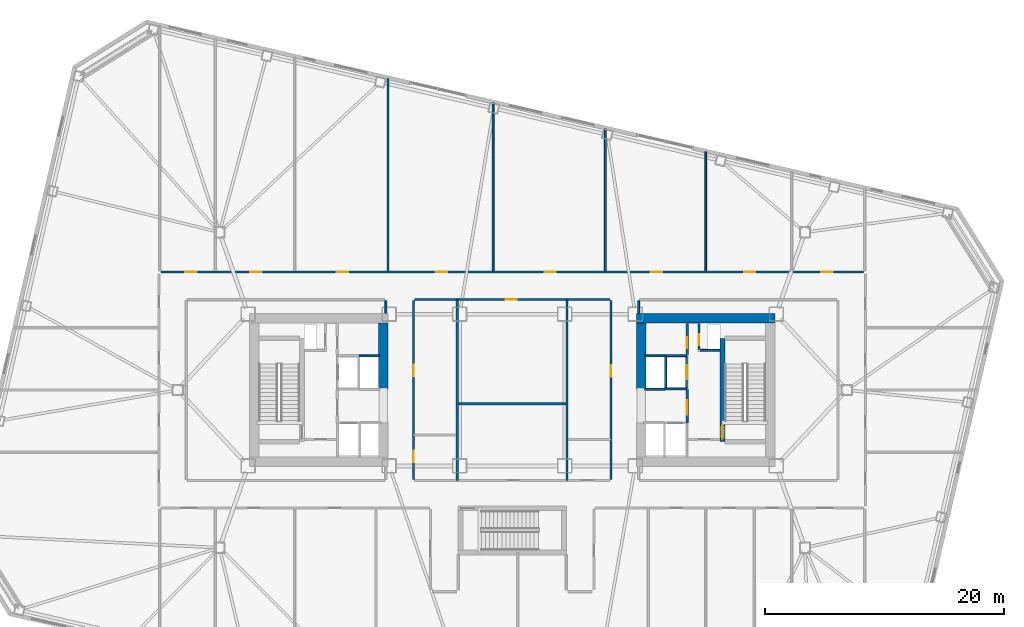
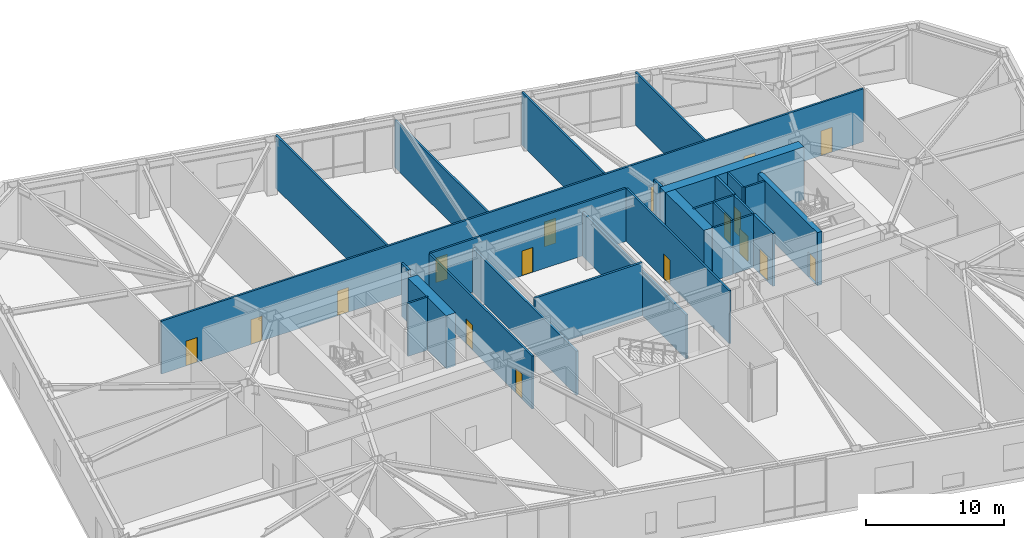
# One storey, part 12 of 20: 28 walls, 17 doors, 17 openings.
"""IFC4 building model written with IfcOpenShell, lengths in metres."""

from ifc_helpers import new_model, si_unit, direction, frame, frame_2d, origin, place, context, subcontext, project, spatial, rectangle, extrude, material, layer, layer_set, type_object, element, fill, save


model = new_model("IFC4")

# Units and contexts
model_context = context("Model", 3, precision=1e-05, world=origin(), true_north=direction((0.0, 1.0)))
body_context = subcontext(model_context, "Body", "Model", "MODEL_VIEW")
ifc_project = project(units=[si_unit("LENGTHUNIT", "METRE"), si_unit("AREAUNIT", "SQUARE_METRE"), si_unit("VOLUMEUNIT", "CUBIC_METRE"), si_unit("PLANEANGLEUNIT", "RADIAN"), si_unit("MASSUNIT", "GRAM", prefix="KILO")], contexts=[model_context])

# Site, building, storey
site_placement = place(None, origin())
site = spatial("IfcSite", under=ifc_project, at=site_placement, CompositionType="ELEMENT")
building_placement = place(site_placement, origin())
building = spatial("IfcBuilding", under=site, at=building_placement, Name="Tavrogorsk Clinical Tower", CompositionType="ELEMENT")
storey_placement = place(building_placement, frame((0.0, 0.0, 23.39990234375)))
storey = spatial("IfcBuildingStorey", under=building, at=storey_placement, Name="L04", CompositionType="ELEMENT", Elevation=23.39990234375)

# Wall, opening, door
ifc_material_1 = material(Name="Concrete B60", Category="concrete")
ifc_layer_1 = layer(ifc_material_1, 0.199951171875)
ifc_layer_set_1 = layer_set([ifc_layer_1], Name="Concrete B60")
wall_type_1 = type_object("IfcWallType", Name="CoreFireWall_200", PredefinedType="SOLIDWALL", material=ifc_layer_set_1)
wall_1_placement = place(storey_placement, frame((14.639892578125, 2.9599609375, 0.0), z_axis=(0.0, 0.0, 1.0), x_axis=(0.0, 1.0, 0.0)))
wall_1 = element("IfcWall", 1, at=wall_1_placement, inside=storey, type_object=wall_type_1, Name="L04 Core East North Core Room East Wall", PredefinedType="SOLIDWALL", context=body_context, shape_type="SweptSolid", body=[
    extrude(rectangle(XDim=2.60009765625, YDim=0.199951171875, at=frame_2d((1.300048828125, 0.0))), origin(), (0.0, 0.0, 1.0), 4.7001953125),
])
opening_1_placement = place(wall_1_placement, frame((0.52001953125, 0.0, 0.0)))
opening_1 = element("IfcOpeningElement", 2, at=opening_1_placement, cuts=wall_1, Name="Opening ID-02", PredefinedType="OPENING", context=body_context, shape_type="SweptSolid", body=[
    extrude(rectangle(XDim=0.949951171875, YDim=2.199951171875, at=frame_2d((0.47509765625, 1.10009765625))), frame((0.0, 0.10986328125, 0.0), z_axis=(0.0, -1.0, 0.0), x_axis=(1.0, 0.0, 0.0)), (0.0, 0.0, 1.0), 0.219970703125),
])
ifc_material_2 = material(Name="Laminated timber leaf on aluminium frame", Category="wood")
door_type_1 = type_object("IfcDoorType", Name="InteriorDoor_ID02_950", OperationType="NOTDEFINED", PredefinedType="DOOR", material=ifc_material_2)
door_1_placement = place(opening_1_placement, origin())
door_1 = element("IfcDoor", 3, at=door_1_placement, inside=storey, type_object=door_type_1, Name="L04 Core East Core Telemetry Room Door", OperationType="SINGLE_SWING_LEFT", OverallHeight=2.199951171875, OverallWidth=0.949951171875, PredefinedType="DOOR", context=body_context, shape_type="SweptSolid", body=[
    extrude(rectangle(XDim=0.949951171875, YDim=2.199951171875, at=frame_2d((0.47509765625, 1.10009765625))), frame((0.0, 0.02490234375, 0.0), z_axis=(0.0, -1.0, 0.0), x_axis=(1.0, 0.0, 0.0)), (0.0, 0.0, 1.0), 0.050048828125),
])
fill(opening_1, door_1)

wall_2_placement = place(storey_placement, frame((14.639892578125, -2.780029296875, 0.0), z_axis=(0.0, 0.0, 1.0), x_axis=(0.0, 1.0, 0.0)))
wall_2 = element("IfcWall", 4, at=wall_2_placement, inside=storey, type_object=wall_type_1, Name="L04 Core East Firefighting Lobby Fire Wall", PredefinedType="SOLIDWALL", context=body_context, shape_type="SweptSolid", body=[
    extrude(rectangle(XDim=2.820068359375, YDim=0.199951171875, at=frame_2d((1.41015625, 0.0))), origin(), (0.0, 0.0, 1.0), 4.7001953125),
])
opening_2_placement = place(wall_2_placement, frame((0.72998046875, 0.0, 0.0)))
opening_2 = element("IfcOpeningElement", 5, at=opening_2_placement, cuts=wall_2, Name="Opening FD-01", PredefinedType="OPENING", context=body_context, shape_type="SweptSolid", body=[
    extrude(rectangle(XDim=1.199951171875, YDim=2.199951171875, at=frame_2d((0.60009765625, 1.10009765625))), frame((0.0, 0.10986328125, 0.0), z_axis=(0.0, -1.0, 0.0), x_axis=(1.0, 0.0, 0.0)), (0.0, 0.0, 1.0), 0.219970703125),
])
ifc_material_3 = material(Name="Galvanised steel fire-rated door assembly", Category="steel")
door_type_2 = type_object("IfcDoorType", Name="FireDoor_FD01_1200", OperationType="NOTDEFINED", PredefinedType="DOOR", material=ifc_material_3)
door_2_placement = place(opening_2_placement, origin())
door_2 = element("IfcDoor", 6, at=door_2_placement, inside=storey, type_object=door_type_2, Name="L04 Core East Firefighting Lobby Entry Door", OperationType="SINGLE_SWING_RIGHT", OverallHeight=2.199951171875, OverallWidth=1.199951171875, PredefinedType="DOOR", context=body_context, shape_type="SweptSolid", body=[
    extrude(rectangle(XDim=1.199951171875, YDim=2.199951171875, at=frame_2d((0.60009765625, 1.10009765625))), frame((0.0, 0.02490234375, 0.0), z_axis=(0.0, -1.0, 0.0), x_axis=(1.0, 0.0, 0.0)), (0.0, 0.0, 1.0), 0.050048828125),
])
fill(opening_2, door_2)

# Wall, openings, doors
ifc_material_4 = material(Name="Lightweight concrete blockwork B15", Category="masonry")
ifc_layer_2 = layer(ifc_material_4, 0.159912109375)
ifc_layer_set_2 = layer_set([ifc_layer_2], Name="Lightweight concrete blockwork B15")
wall_type_2 = type_object("IfcWallType", Name="PartitionWall_160", PredefinedType="PARTITIONING", material=ifc_layer_set_2)
wall_3_placement = place(storey_placement, frame((-29.4150390625, 9.8798828125, 0.0), z_axis=(0.0, 0.0, 1.0), x_axis=(1.0, 0.0, 0.0)))
wall_3 = element("IfcWall", 7, at=wall_3_placement, inside=storey, type_object=wall_type_2, Name="L04 Corridor Partition 02", PredefinedType="PARTITIONING", context=body_context, shape_type="SweptSolid", body=[
    extrude(rectangle(XDim=58.830078125, YDim=0.159912109375, at=frame_2d((29.4150390625, 0.0))), origin(), (0.0, 0.0, 1.0), 4.7001953125),
])
opening_3_placement = place(wall_3_placement, frame((2.044189453125, 0.0, 0.0)))
opening_3 = element("IfcOpeningElement", 8, at=opening_3_placement, cuts=wall_3, Name="Opening ID-02", PredefinedType="OPENING", context=body_context, shape_type="SweptSolid", body=[
    extrude(rectangle(XDim=0.949951171875, YDim=2.199951171875, at=frame_2d((0.47509765625, 1.10009765625))), frame((0.0, 0.08984375, 0.0), z_axis=(0.0, -1.0, 0.0), x_axis=(1.0, 0.0, 0.0)), (0.0, 0.0, 1.0), 0.179931640625),
])
opening_4_placement = place(wall_3_placement, frame((7.5, 0.0, 0.0)))
opening_4 = element("IfcOpeningElement", 9, at=opening_4_placement, cuts=wall_3, Name="Opening ID-02", PredefinedType="OPENING", context=body_context, shape_type="SweptSolid", body=[
    extrude(rectangle(XDim=0.949951171875, YDim=2.199951171875, at=frame_2d((0.47509765625, 1.10009765625))), frame((0.0, 0.08984375, 0.0), z_axis=(0.0, -1.0, 0.0), x_axis=(1.0, 0.0, 0.0)), (0.0, 0.0, 1.0), 0.179931640625),
])
opening_5_placement = place(wall_3_placement, frame((14.72509765625, 0.0, 0.0)))
opening_5 = element("IfcOpeningElement", 10, at=opening_5_placement, cuts=wall_3, Name="Opening ID-02", PredefinedType="OPENING", context=body_context, shape_type="SweptSolid", body=[
    extrude(rectangle(XDim=0.949951171875, YDim=2.199951171875, at=frame_2d((0.47509765625, 1.10009765625))), frame((0.0, 0.08984375, 0.0), z_axis=(0.0, -1.0, 0.0), x_axis=(1.0, 0.0, 0.0)), (0.0, 0.0, 1.0), 0.179931640625),
])
opening_6_placement = place(wall_3_placement, frame((23.02490234375, 0.0, 0.0)))
opening_6 = element("IfcOpeningElement", 11, at=opening_6_placement, cuts=wall_3, Name="Opening ID-02", PredefinedType="OPENING", context=body_context, shape_type="SweptSolid", body=[
    extrude(rectangle(XDim=0.949951171875, YDim=2.199951171875, at=frame_2d((0.47509765625, 1.10009765625))), frame((0.0, 0.08984375, 0.0), z_axis=(0.0, -1.0, 0.0), x_axis=(1.0, 0.0, 0.0)), (0.0, 0.0, 1.0), 0.179931640625),
])
opening_7_placement = place(wall_3_placement, frame((32.125, 0.0, 0.0)))
opening_7 = element("IfcOpeningElement", 12, at=opening_7_placement, cuts=wall_3, Name="Opening ID-02", PredefinedType="OPENING", context=body_context, shape_type="SweptSolid", body=[
    extrude(rectangle(XDim=0.949951171875, YDim=2.199951171875, at=frame_2d((0.47509765625, 1.10009765625))), frame((0.0, 0.08984375, 0.0), z_axis=(0.0, -1.0, 0.0), x_axis=(1.0, 0.0, 0.0)), (0.0, 0.0, 1.0), 0.179931640625),
])
opening_8_placement = place(wall_3_placement, frame((41.02490234375, 0.0, 0.0)))
opening_8 = element("IfcOpeningElement", 13, at=opening_8_placement, cuts=wall_3, Name="Opening ID-02", PredefinedType="OPENING", context=body_context, shape_type="SweptSolid", body=[
    extrude(rectangle(XDim=0.949951171875, YDim=2.199951171875, at=frame_2d((0.47509765625, 1.10009765625))), frame((0.0, 0.08984375, 0.0), z_axis=(0.0, -1.0, 0.0), x_axis=(1.0, 0.0, 0.0)), (0.0, 0.0, 1.0), 0.179931640625),
])
opening_9_placement = place(wall_3_placement, frame((48.824951171875, 0.0, 0.0)))
opening_9 = element("IfcOpeningElement", 14, at=opening_9_placement, cuts=wall_3, Name="Opening ID-02", PredefinedType="OPENING", context=body_context, shape_type="SweptSolid", body=[
    extrude(rectangle(XDim=0.949951171875, YDim=2.199951171875, at=frame_2d((0.47509765625, 1.10009765625))), frame((0.0, 0.08984375, 0.0), z_axis=(0.0, -1.0, 0.0), x_axis=(1.0, 0.0, 0.0)), (0.0, 0.0, 1.0), 0.179931640625),
])
opening_10_placement = place(wall_3_placement, frame((55.281005859375, 0.0, 0.0)))
opening_10 = element("IfcOpeningElement", 15, at=opening_10_placement, cuts=wall_3, Name="Opening ID-02", PredefinedType="OPENING", context=body_context, shape_type="SweptSolid", body=[
    extrude(rectangle(XDim=0.949951171875, YDim=2.199951171875, at=frame_2d((0.47509765625, 1.10009765625))), frame((0.0, 0.08984375, 0.0), z_axis=(0.0, -1.0, 0.0), x_axis=(1.0, 0.0, 0.0)), (0.0, 0.0, 1.0), 0.179931640625),
])
door_3_placement = place(opening_3_placement, origin())
door_3 = element("IfcDoor", 16, at=door_3_placement, inside=storey, type_object=door_type_1, Name="L04 North Hybrid Endovascular Operating Theatre 01 Door", OperationType="SINGLE_SWING_LEFT", OverallHeight=2.199951171875, OverallWidth=0.949951171875, PredefinedType="DOOR", context=body_context, shape_type="SweptSolid", body=[
    extrude(rectangle(XDim=0.949951171875, YDim=2.199951171875, at=frame_2d((0.47509765625, 1.10009765625))), frame((0.0, 0.02490234375, 0.0), z_axis=(0.0, -1.0, 0.0), x_axis=(1.0, 0.0, 0.0)), (0.0, 0.0, 1.0), 0.050048828125),
])
fill(opening_3, door_3)
door_4_placement = place(opening_4_placement, origin())
door_4 = element("IfcDoor", 17, at=door_4_placement, inside=storey, type_object=door_type_1, Name="L04 North Anaesthesia Induction Room 02 Door", OperationType="SINGLE_SWING_RIGHT", OverallHeight=2.199951171875, OverallWidth=0.949951171875, PredefinedType="DOOR", context=body_context, shape_type="SweptSolid", body=[
    extrude(rectangle(XDim=0.949951171875, YDim=2.199951171875, at=frame_2d((0.47509765625, 1.10009765625))), frame((0.0, 0.02490234375, 0.0), z_axis=(0.0, -1.0, 0.0), x_axis=(1.0, 0.0, 0.0)), (0.0, 0.0, 1.0), 0.050048828125),
])
fill(opening_4, door_4)
door_5_placement = place(opening_5_placement, origin())
door_5 = element("IfcDoor", 18, at=door_5_placement, inside=storey, type_object=door_type_1, Name="L04 North Hybrid Endovascular Operating Theatre 03 Door", OperationType="SINGLE_SWING_LEFT", OverallHeight=2.199951171875, OverallWidth=0.949951171875, PredefinedType="DOOR", context=body_context, shape_type="SweptSolid", body=[
    extrude(rectangle(XDim=0.949951171875, YDim=2.199951171875, at=frame_2d((0.47509765625, 1.10009765625))), frame((0.0, 0.02490234375, 0.0), z_axis=(0.0, -1.0, 0.0), x_axis=(1.0, 0.0, 0.0)), (0.0, 0.0, 1.0), 0.050048828125),
])
fill(opening_5, door_5)
door_6_placement = place(opening_6_placement, origin())
door_6 = element("IfcDoor", 19, at=door_6_placement, inside=storey, type_object=door_type_1, Name="L04 North Anaesthesia Induction Room 04 Door", OperationType="SINGLE_SWING_RIGHT", OverallHeight=2.199951171875, OverallWidth=0.949951171875, PredefinedType="DOOR", context=body_context, shape_type="SweptSolid", body=[
    extrude(rectangle(XDim=0.949951171875, YDim=2.199951171875, at=frame_2d((0.47509765625, 1.10009765625))), frame((0.0, 0.02490234375, 0.0), z_axis=(0.0, -1.0, 0.0), x_axis=(1.0, 0.0, 0.0)), (0.0, 0.0, 1.0), 0.050048828125),
])
fill(opening_6, door_6)
door_7_placement = place(opening_7_placement, origin())
door_7 = element("IfcDoor", 20, at=door_7_placement, inside=storey, type_object=door_type_1, Name="L04 North Hybrid Endovascular Operating Theatre 05 Door", OperationType="SINGLE_SWING_LEFT", OverallHeight=2.199951171875, OverallWidth=0.949951171875, PredefinedType="DOOR", context=body_context, shape_type="SweptSolid", body=[
    extrude(rectangle(XDim=0.949951171875, YDim=2.199951171875, at=frame_2d((0.47509765625, 1.10009765625))), frame((0.0, 0.02490234375, 0.0), z_axis=(0.0, -1.0, 0.0), x_axis=(1.0, 0.0, 0.0)), (0.0, 0.0, 1.0), 0.050048828125),
])
fill(opening_7, door_7)
door_8_placement = place(opening_8_placement, origin())
door_8 = element("IfcDoor", 21, at=door_8_placement, inside=storey, type_object=door_type_1, Name="L04 North Anaesthesia Induction Room 06 Door", OperationType="SINGLE_SWING_RIGHT", OverallHeight=2.199951171875, OverallWidth=0.949951171875, PredefinedType="DOOR", context=body_context, shape_type="SweptSolid", body=[
    extrude(rectangle(XDim=0.949951171875, YDim=2.199951171875, at=frame_2d((0.47509765625, 1.10009765625))), frame((0.0, 0.02490234375, 0.0), z_axis=(0.0, -1.0, 0.0), x_axis=(1.0, 0.0, 0.0)), (0.0, 0.0, 1.0), 0.050048828125),
])
fill(opening_8, door_8)
door_9_placement = place(opening_9_placement, origin())
door_9 = element("IfcDoor", 22, at=door_9_placement, inside=storey, type_object=door_type_1, Name="L04 North Hybrid Endovascular Operating Theatre 07 Door", OperationType="SINGLE_SWING_LEFT", OverallHeight=2.199951171875, OverallWidth=0.949951171875, PredefinedType="DOOR", context=body_context, shape_type="SweptSolid", body=[
    extrude(rectangle(XDim=0.949951171875, YDim=2.199951171875, at=frame_2d((0.47509765625, 1.10009765625))), frame((0.0, 0.02490234375, 0.0), z_axis=(0.0, -1.0, 0.0), x_axis=(1.0, 0.0, 0.0)), (0.0, 0.0, 1.0), 0.050048828125),
])
fill(opening_9, door_9)
door_10_placement = place(opening_10_placement, origin())
door_10 = element("IfcDoor", 23, at=door_10_placement, inside=storey, type_object=door_type_1, Name="L04 North Anaesthesia Induction Room 08 Door", OperationType="SINGLE_SWING_RIGHT", OverallHeight=2.199951171875, OverallWidth=0.949951171875, PredefinedType="DOOR", context=body_context, shape_type="SweptSolid", body=[
    extrude(rectangle(XDim=0.949951171875, YDim=2.199951171875, at=frame_2d((0.47509765625, 1.10009765625))), frame((0.0, 0.02490234375, 0.0), z_axis=(0.0, -1.0, 0.0), x_axis=(1.0, 0.0, 0.0)), (0.0, 0.0, 1.0), 0.050048828125),
])
fill(opening_10, door_10)

# Wall
wall_4_placement = place(storey_placement, frame((10.580078125, 7.485107421875, 0.0), z_axis=(0.0, 0.0, 1.0), x_axis=(0.0, -1.0, 0.0)))
element("IfcWall", 24, at=wall_4_placement, inside=storey, type_object=wall_type_2, Name="L04 Corridor Partition 13", PredefinedType="PARTITIONING", context=body_context, shape_type="SweptSolid", body=[
    extrude(rectangle(XDim=1.065185546875, YDim=0.159912109375, at=frame_2d((0.53271484375, 0.0))), origin(), (0.0, 0.0, 1.0), 4.7001953125),
])

# Wall, opening, door
wall_5_placement = place(storey_placement, frame((8.18505859375, 7.570068359375, 0.0), z_axis=(0.0, 0.0, 1.0), x_axis=(-1.0, 0.0, 0.0)))
wall_5 = element("IfcWall", 25, at=wall_5_placement, inside=storey, type_object=wall_type_2, Name="L04 Corridor Partition 17", PredefinedType="PARTITIONING", context=body_context, shape_type="SweptSolid", body=[
    extrude(rectangle(XDim=16.3701171875, YDim=0.159912109375, at=frame_2d((8.18505859375, 0.0))), origin(), (0.0, 0.0, 1.0), 4.7001953125),
])
opening_11_placement = place(wall_5_placement, frame((7.794921875, 0.0, 0.0)))
opening_11 = element("IfcOpeningElement", 26, at=opening_11_placement, cuts=wall_5, Name="Opening ID-02", PredefinedType="OPENING", context=body_context, shape_type="SweptSolid", body=[
    extrude(rectangle(XDim=0.949951171875, YDim=2.199951171875, at=frame_2d((0.47509765625, 1.10009765625))), frame((0.0, 0.08984375, 0.0), z_axis=(0.0, -1.0, 0.0), x_axis=(1.0, 0.0, 0.0)), (0.0, 0.0, 1.0), 0.179931640625),
])
door_11_placement = place(opening_11_placement, origin())
door_11 = element("IfcDoor", 27, at=door_11_placement, inside=storey, type_object=door_type_1, Name="L04 Nurses' Station & Triage Hub Door", OperationType="SINGLE_SWING_LEFT", OverallHeight=2.199951171875, OverallWidth=0.949951171875, PredefinedType="DOOR", context=body_context, shape_type="SweptSolid", body=[
    extrude(rectangle(XDim=0.949951171875, YDim=2.199951171875, at=frame_2d((0.47509765625, 1.10009765625))), frame((0.0, 0.02490234375, 0.0), z_axis=(0.0, -1.0, 0.0), x_axis=(1.0, 0.0, 0.0)), (0.0, 0.0, 1.0), 0.050048828125),
])
fill(opening_11, door_11)

# Wall, openings, doors
wall_6_placement = place(storey_placement, frame((-8.27001953125, 7.485107421875, 0.0), z_axis=(0.0, 0.0, 1.0), x_axis=(0.0, -1.0, 0.0)))
wall_6 = element("IfcWall", 28, at=wall_6_placement, inside=storey, type_object=wall_type_2, Name="L04 Corridor Partition 18", PredefinedType="PARTITIONING", context=body_context, shape_type="SweptSolid", body=[
    extrude(rectangle(XDim=14.97021484375, YDim=0.159912109375, at=frame_2d((7.485107421875, 0.0))), origin(), (0.0, 0.0, 1.0), 4.7001953125),
])
opening_12_placement = place(wall_6_placement, frame((12.560791015625, 0.0, 0.0)))
opening_12 = element("IfcOpeningElement", 29, at=opening_12_placement, cuts=wall_6, Name="Opening ID-02", PredefinedType="OPENING", context=body_context, shape_type="SweptSolid", body=[
    extrude(rectangle(XDim=0.949951171875, YDim=2.199951171875, at=frame_2d((0.47509765625, 1.10009765625))), frame((0.0, 0.08984375, 0.0), z_axis=(0.0, -1.0, 0.0), x_axis=(1.0, 0.0, 0.0)), (0.0, 0.0, 1.0), 0.179931640625),
])
opening_13_placement = place(wall_6_placement, frame((5.379150390625, 0.0, 0.0)))
opening_13 = element("IfcOpeningElement", 30, at=opening_13_placement, cuts=wall_6, Name="Opening ID-02", PredefinedType="OPENING", context=body_context, shape_type="SweptSolid", body=[
    extrude(rectangle(XDim=0.949951171875, YDim=2.199951171875, at=frame_2d((0.47509765625, 1.10009765625))), frame((0.0, 0.08984375, 0.0), z_axis=(0.0, -1.0, 0.0), x_axis=(1.0, 0.0, 0.0)), (0.0, 0.0, 1.0), 0.179931640625),
])
door_12_placement = place(opening_12_placement, origin())
door_12 = element("IfcDoor", 31, at=door_12_placement, inside=storey, type_object=door_type_1, Name="L04 Accessible Patient Lavatory Door", OperationType="SINGLE_SWING_RIGHT", OverallHeight=2.199951171875, OverallWidth=0.949951171875, PredefinedType="DOOR", context=body_context, shape_type="SweptSolid", body=[
    extrude(rectangle(XDim=0.949951171875, YDim=2.199951171875, at=frame_2d((0.47509765625, 1.10009765625))), frame((0.0, 0.02490234375, 0.0), z_axis=(0.0, -1.0, 0.0), x_axis=(1.0, 0.0, 0.0)), (0.0, 0.0, 1.0), 0.050048828125),
])
fill(opening_12, door_12)
door_13_placement = place(opening_13_placement, origin())
door_13 = element("IfcDoor", 32, at=door_13_placement, inside=storey, type_object=door_type_1, Name="L04 Ward Nourishment Pantry Door", OperationType="SINGLE_SWING_LEFT", OverallHeight=2.199951171875, OverallWidth=0.949951171875, PredefinedType="DOOR", context=body_context, shape_type="SweptSolid", body=[
    extrude(rectangle(XDim=0.949951171875, YDim=2.199951171875, at=frame_2d((0.47509765625, 1.10009765625))), frame((0.0, 0.02490234375, 0.0), z_axis=(0.0, -1.0, 0.0), x_axis=(1.0, 0.0, 0.0)), (0.0, 0.0, 1.0), 0.050048828125),
])
fill(opening_13, door_13)

# Wall, opening, door
wall_7_placement = place(storey_placement, frame((8.27001953125, -7.485107421875, 0.0), z_axis=(0.0, 0.0, 1.0), x_axis=(0.0, 1.0, 0.0)))
wall_7 = element("IfcWall", 33, at=wall_7_placement, inside=storey, type_object=wall_type_2, Name="L04 Corridor Partition 20", PredefinedType="PARTITIONING", context=body_context, shape_type="SweptSolid", body=[
    extrude(rectangle(XDim=14.97021484375, YDim=0.159912109375, at=frame_2d((7.485107421875, 0.0))), origin(), (0.0, 0.0, 1.0), 4.7001953125),
])
opening_14_placement = place(wall_7_placement, frame((8.61083984375, 0.0, 0.0)))
opening_14 = element("IfcOpeningElement", 34, at=opening_14_placement, cuts=wall_7, Name="Opening ID-02", PredefinedType="OPENING", context=body_context, shape_type="SweptSolid", body=[
    extrude(rectangle(XDim=0.949951171875, YDim=2.199951171875, at=frame_2d((0.47509765625, 1.10009765625))), frame((0.0, 0.08984375, 0.0), z_axis=(0.0, -1.0, 0.0), x_axis=(1.0, 0.0, 0.0)), (0.0, 0.0, 1.0), 0.179931640625),
])
door_14_placement = place(opening_14_placement, origin())
door_14 = element("IfcDoor", 35, at=door_14_placement, inside=storey, type_object=door_type_1, Name="L04 Attending Physician Office Door", OperationType="SINGLE_SWING_LEFT", OverallHeight=2.199951171875, OverallWidth=0.949951171875, PredefinedType="DOOR", context=body_context, shape_type="SweptSolid", body=[
    extrude(rectangle(XDim=0.949951171875, YDim=2.199951171875, at=frame_2d((0.47509765625, 1.10009765625))), frame((0.0, 0.02490234375, 0.0), z_axis=(0.0, -1.0, 0.0), x_axis=(1.0, 0.0, 0.0)), (0.0, 0.0, 1.0), 0.050048828125),
])
fill(opening_14, door_14)

# Walls
wall_8_placement = place(storey_placement, frame((-10.580078125, 6.419921875, 0.0), z_axis=(0.0, 0.0, 1.0), x_axis=(0.0, 1.0, 0.0)))
element("IfcWall", 36, at=wall_8_placement, inside=storey, type_object=wall_type_2, Name="L04 Corridor Partition 22", PredefinedType="PARTITIONING", context=body_context, shape_type="SweptSolid", body=[
    extrude(rectangle(XDim=1.065185546875, YDim=0.159912109375, at=frame_2d((0.53271484375, 0.0))), origin(), (0.0, 0.0, 1.0), 4.7001953125),
])
wall_9_placement = place(storey_placement, frame((-10.39990234375, 9.965087890625, 0.0), z_axis=(0.0, 0.0, 1.0), x_axis=(0.0, 1.0, 0.0)))
element("IfcWall", 37, at=wall_9_placement, inside=storey, type_object=wall_type_2, Name="L04 North Room Partition 3", PredefinedType="PARTITIONING", context=body_context, shape_type="SweptSolid", body=[
    extrude(rectangle(XDim=16.10888671875, YDim=0.159912109375, at=frame_2d((8.054443359375, 0.0))), origin(), (0.0, 0.0, 1.0), 4.7001953125),
])
wall_10_placement = place(storey_placement, frame((-1.60009765625, 9.965087890625, 0.0), z_axis=(0.0, 0.0, 1.0), x_axis=(0.0, 1.0, 0.0)))
element("IfcWall", 38, at=wall_10_placement, inside=storey, type_object=wall_type_2, Name="L04 North Room Partition 4", PredefinedType="PARTITIONING", context=body_context, shape_type="SweptSolid", body=[
    extrude(rectangle(XDim=14.077392578125, YDim=0.159912109375, at=frame_2d((7.03857421875, 0.0))), origin(), (0.0, 0.0, 1.0), 4.195068359375),
])
wall_11_placement = place(storey_placement, frame((7.800048828125, 9.965087890625, 0.0), z_axis=(0.0, 0.0, 1.0), x_axis=(0.0, 1.0, 0.0)))
element("IfcWall", 39, at=wall_11_placement, inside=storey, type_object=wall_type_2, Name="L04 North Room Partition 5", PredefinedType="PARTITIONING", context=body_context, shape_type="SweptSolid", body=[
    extrude(rectangle(XDim=11.9072265625, YDim=0.159912109375, at=frame_2d((5.95361328125, 0.0))), origin(), (0.0, 0.0, 1.0), 4.7001953125),
])
wall_12_placement = place(storey_placement, frame((16.199951171875, 9.965087890625, 0.0), z_axis=(0.0, 0.0, 1.0), x_axis=(0.0, 1.0, 0.0)))
element("IfcWall", 40, at=wall_12_placement, inside=storey, type_object=wall_type_2, Name="L04 North Room Partition 6", PredefinedType="PARTITIONING", context=body_context, shape_type="SweptSolid", body=[
    extrude(rectangle(XDim=9.9677734375, YDim=0.159912109375, at=frame_2d((4.98388671875, 0.0))), origin(), (0.0, 0.0, 1.0), 4.7001953125),
])
ifc_material_5 = material(Name="Lightweight concrete blockwork B20", Category="masonry")
ifc_layer_3 = layer(ifc_material_5, 0.179931640625)
ifc_layer_set_3 = layer_set([ifc_layer_3], Name="Lightweight concrete blockwork B20")
wall_type_3 = type_object("IfcWallType", Name="PartitionWall_180", PredefinedType="PARTITIONING", material=ifc_layer_set_3)
for number, where, z_axis, x_axis, name in (
    (41, (-4.60009765625, -7.56494140625, 0.0), (0.0, 0.0, 1.0), (0.0, 1.0, 0.0), "L04 Central Spine Partition 1"),
    (42, (4.60009765625, -7.56494140625, 0.0), (0.0, 0.0, 1.0), (0.0, 1.0, 0.0), "L04 Central Spine Partition 2"),
):
    element("IfcWall", number, at=place(storey_placement, frame(where, z_axis=z_axis, x_axis=x_axis)), inside=storey, type_object=wall_type_3, Name=name, PredefinedType="PARTITIONING", context=body_context, shape_type="SweptSolid", body=[
        extrude(rectangle(XDim=15.1298828125, YDim=0.179931640625, at=frame_2d((7.56494140625, 0.0))), origin(), (0.0, 0.0, 1.0), 3.89501953125),
    ])
wall_13_placement = place(storey_placement, frame((-4.5048828125, -1.14990234375, 0.0), z_axis=(0.0, 0.0, 1.0), x_axis=(1.0, 0.0, 0.0)))
element("IfcWall", 43, at=wall_13_placement, inside=storey, type_object=wall_type_3, Name="L04 Central Spine Partition 3", PredefinedType="PARTITIONING", context=body_context, shape_type="SweptSolid", body=[
    extrude(rectangle(XDim=9.009765625, YDim=0.179931640625, at=frame_2d((4.5048828125, 0.0))), origin(), (0.0, 0.0, 1.0), 4.7001953125),
])
ifc_material_6 = material(Name="Lightweight concrete blockwork B25", Category="masonry")
ifc_layer_4 = layer(ifc_material_6, 0.159912109375)
ifc_layer_set_4 = layer_set([ifc_layer_4], Name="Lightweight concrete blockwork B25")
wall_type_4 = type_object("IfcWallType", Name="ShaftWall_160", PredefinedType="PARTITIONING", material=ifc_layer_set_4)
wall_14_placement = place(storey_placement, frame((-12.820068359375, 2.860107421875, 0.0), z_axis=(0.0, 0.0, 1.0), x_axis=(1.0, 0.0, 0.0)))
element("IfcWall", 44, at=wall_14_placement, inside=storey, type_object=wall_type_4, Name="L04 LP-H1 High-Zone Lift Rear Wall", PredefinedType="PARTITIONING", context=body_context, shape_type="SweptSolid", body=[
    extrude(rectangle(XDim=1.719970703125, YDim=0.159912109375, at=frame_2d((0.85986328125, 0.0))), origin(), (0.0, 0.0, 1.0), 4.7001953125),
])

# Wall, opening, door
wall_15_placement = place(storey_placement, frame((14.60009765625, 0.1201171875, 0.0), z_axis=(0.0, 0.0, 1.0), x_axis=(0.0, 1.0, 0.0)))
wall_15 = element("IfcWall", 45, at=wall_15_placement, inside=storey, type_object=wall_type_4, Name="L04 FFL-E Firefighting Lift Front Wall", PredefinedType="PARTITIONING", context=body_context, shape_type="SweptSolid", body=[
    extrude(rectangle(XDim=2.739990234375, YDim=0.159912109375, at=frame_2d((1.3701171875, 0.0))), origin(), (0.0, 0.0, 1.0), 4.7001953125),
])
opening_15_placement = place(wall_15_placement, frame((0.77001953125, 0.0, 0.0)))
opening_15 = element("IfcOpeningElement", 46, at=opening_15_placement, cuts=wall_15, Name="Opening LD", PredefinedType="OPENING", context=body_context, shape_type="SweptSolid", body=[
    extrude(rectangle(XDim=1.199951171875, YDim=2.199951171875, at=frame_2d((0.60009765625, 1.10009765625))), frame((0.0, 0.08984375, 0.0), z_axis=(0.0, -1.0, 0.0), x_axis=(1.0, 0.0, 0.0)), (0.0, 0.0, 1.0), 0.179931640625),
])
ifc_material_7 = material(Name="Brushed stainless steel AISI 304 sliding doors", Category="steel")
door_type_3 = type_object("IfcDoorType", Name="LiftLandingDoor_LD_1200", OperationType="SLIDING_TO_LEFT", PredefinedType="DOOR", material=ifc_material_7)
door_15_placement = place(opening_15_placement, origin())
door_15 = element("IfcDoor", 47, at=door_15_placement, inside=storey, type_object=door_type_3, Name="L04 FFL-E Sliding Lift Landing Door", OperationType="SLIDING_TO_LEFT", OverallHeight=2.199951171875, OverallWidth=1.199951171875, PredefinedType="DOOR", context=body_context, shape_type="SweptSolid", body=[
    extrude(rectangle(XDim=1.199951171875, YDim=2.199951171875, at=frame_2d((0.60009765625, 1.10009765625))), frame((0.0, 0.02490234375, 0.0), z_axis=(0.0, -1.0, 0.0), x_axis=(1.0, 0.0, 0.0)), (0.0, 0.0, 1.0), 0.050048828125),
])
fill(opening_15, door_15)

# Walls
for number, where, z_axis, x_axis, name in (
    (48, (12.840087890625, 0.10009765625, 0.0), (0.0, 0.0, 1.0), (1.0, 0.0, 0.0), "L04 FFL-E Shaft South Wall"),
    (49, (12.840087890625, 2.8798828125, 0.0), (0.0, 0.0, 1.0), (1.0, 0.0, 0.0), "L04 FFL-E Shaft North Wall"),
):
    element("IfcWall", number, at=place(storey_placement, frame(where, z_axis=z_axis, x_axis=x_axis)), inside=storey, type_object=wall_type_4, Name=name, PredefinedType="PARTITIONING", context=body_context, shape_type="SweptSolid", body=[
        extrude(rectangle(XDim=1.760009765625, YDim=0.159912109375, at=frame_2d((0.8798828125, 0.0))), origin(), (0.0, 0.0, 1.0), 4.7001953125),
    ])
wall_16_placement = place(storey_placement, frame((12.840087890625, 0.179931640625, 0.0), z_axis=(0.0, 0.0, 1.0), x_axis=(0.0, 1.0, 0.0)))
element("IfcWall", 50, at=wall_16_placement, inside=storey, type_object=wall_type_4, Name="L04 FFL-E Shaft Back Wall", PredefinedType="PARTITIONING", context=body_context, shape_type="SweptSolid", body=[
    extrude(rectangle(XDim=2.6201171875, YDim=0.159912109375, at=frame_2d((1.31005859375, 0.0))), origin(), (0.0, 0.0, 1.0), 4.7001953125),
])
for number, where, z_axis, x_axis, name in (
    (51, (11.10009765625, 0.06005859375, 0.0), (0.0, 0.0, 1.0), (1.0, 0.0, 0.0), "L04 LP-H2 High-Zone Lift Portal Wall"),
    (52, (11.10009765625, 2.860107421875, 0.0), (0.0, 0.0, 1.0), (1.0, 0.0, 0.0), "L04 LP-H2 High-Zone Lift Rear Wall"),
):
    element("IfcWall", number, at=place(storey_placement, frame(where, z_axis=z_axis, x_axis=x_axis)), inside=storey, type_object=wall_type_4, Name=name, PredefinedType="PARTITIONING", context=body_context, shape_type="SweptSolid", body=[
        extrude(rectangle(XDim=1.719970703125, YDim=0.159912109375, at=frame_2d((0.85986328125, 0.0))), origin(), (0.0, 0.0, 1.0), 4.7001953125),
    ])

# Wall, opening, door
wall_17_placement = place(storey_placement, frame((15.639892578125, 3.405029296875, 0.0), z_axis=(0.0, 0.0, 1.0), x_axis=(0.0, 1.0, 0.0)))
wall_17 = element("IfcWall", 53, at=wall_17_placement, inside=storey, type_object=wall_type_4, Name="L04 Core East Riser West Wall", PredefinedType="PARTITIONING", context=body_context, shape_type="SweptSolid", body=[
    extrude(rectangle(XDim=2.155029296875, YDim=0.159912109375, at=frame_2d((1.07763671875, 0.0))), origin(), (0.0, 0.0, 1.0), 4.7001953125),
])
opening_16_placement = place(wall_17_placement, frame((0.35009765625, 0.0, 0.0)))
opening_16 = element("IfcOpeningElement", 54, at=opening_16_placement, cuts=wall_17, Name="Opening FD-02", PredefinedType="OPENING", context=body_context, shape_type="SweptSolid", body=[
    extrude(rectangle(XDim=0.89990234375, YDim=2.199951171875, at=frame_2d((0.449951171875, 1.10009765625))), frame((0.0, 0.08984375, 0.0), z_axis=(0.0, -1.0, 0.0), x_axis=(1.0, 0.0, 0.0)), (0.0, 0.0, 1.0), 0.179931640625),
])
ifc_material_8 = material(Name="Galvanised steel fire-rated door assembly", Category="steel")
door_type_4 = type_object("IfcDoorType", Name="FireDoor_FD02_900", OperationType="NOTDEFINED", PredefinedType="DOOR", material=ifc_material_8)
door_16_placement = place(opening_16_placement, origin())
door_16 = element("IfcDoor", 55, at=door_16_placement, inside=storey, type_object=door_type_4, Name="L04 Core East Electrical Riser Access Door", OperationType="SINGLE_SWING_LEFT", OverallHeight=2.199951171875, OverallWidth=0.89990234375, PredefinedType="DOOR", context=body_context, shape_type="SweptSolid", body=[
    extrude(rectangle(XDim=0.89990234375, YDim=2.199951171875, at=frame_2d((0.449951171875, 1.10009765625))), frame((0.0, 0.02490234375, 0.0), z_axis=(0.0, -1.0, 0.0), x_axis=(1.0, 0.0, 0.0)), (0.0, 0.0, 1.0), 0.050048828125),
])
fill(opening_16, door_16)

# Wall
wall_18_placement = place(storey_placement, frame((15.72509765625, 3.320068359375, 0.0), z_axis=(0.0, 0.0, 1.0), x_axis=(1.0, 0.0, 0.0)))
element("IfcWall", 56, at=wall_18_placement, inside=storey, type_object=wall_type_4, Name="L04 Core East Riser South Wall", PredefinedType="PARTITIONING", context=body_context, shape_type="SweptSolid", body=[
    extrude(rectangle(XDim=1.65478515625, YDim=0.159912109375, at=frame_2d((0.827392578125, 0.0))), origin(), (0.0, 0.0, 1.0), 4.7001953125),
])

# Wall, opening, door
ifc_material_9 = material(Name="Concrete B80", Category="concrete")
ifc_layer_5 = layer(ifc_material_9, 0.39990234375)
ifc_layer_set_5 = layer_set([ifc_layer_5], Name="Concrete B80")
wall_type_5 = type_object("IfcWallType", Name="ShearWall_400", PredefinedType="SHEAR", material=ifc_layer_set_5)
wall_19_placement = place(storey_placement, frame((17.60009765625, -4.324951171875, 0.0), z_axis=(0.0, 0.0, 1.0), x_axis=(0.0, 1.0, 0.0)))
wall_19 = element("IfcWall", 57, at=wall_19_placement, inside=storey, type_object=wall_type_5, Name="L04 Core East Stair Shaft Inner Shear Wall", PredefinedType="SHEAR", context=body_context, shape_type="SweptSolid", body=[
    extrude(rectangle(XDim=8.64990234375, YDim=0.39990234375, at=frame_2d((4.324951171875, 0.0))), origin(), (0.0, 0.0, 1.0), 4.7001953125),
])
opening_17_placement = place(wall_19_placement, frame((0.25, 0.0, 0.0)))
opening_17 = element("IfcOpeningElement", 58, at=opening_17_placement, cuts=wall_19, Name="Opening SD-01", PredefinedType="OPENING", context=body_context, shape_type="SweptSolid", body=[
    extrude(rectangle(XDim=1.10009765625, YDim=2.199951171875, at=frame_2d((0.550048828125, 1.10009765625))), frame((0.0, 0.2099609375, 0.0), z_axis=(0.0, -1.0, 0.0), x_axis=(1.0, 0.0, 0.0)), (0.0, 0.0, 1.0), 0.419921875),
])
ifc_material_10 = material(Name="Galvanised steel smoke-tight fire door assembly", Category="steel")
door_type_5 = type_object("IfcDoorType", Name="StairFireDoor_SD01_1100", OperationType="NOTDEFINED", PredefinedType="DOOR", material=ifc_material_10)
door_17_placement = place(opening_17_placement, origin())
door_17 = element("IfcDoor", 59, at=door_17_placement, inside=storey, type_object=door_type_5, Name="L04 ST-E Exit Stair Door", OperationType="SINGLE_SWING_RIGHT", OverallHeight=2.199951171875, OverallWidth=1.10009765625, PredefinedType="DOOR", context=body_context, shape_type="SweptSolid", body=[
    extrude(rectangle(XDim=1.10009765625, YDim=2.199951171875, at=frame_2d((0.550048828125, 1.10009765625))), frame((0.0, 0.02490234375, 0.0), z_axis=(0.0, -1.0, 0.0), x_axis=(1.0, 0.0, 0.0)), (0.0, 0.0, 1.0), 0.050048828125),
])
fill(opening_17, door_17)

# Walls
ifc_material_11 = material(Name="Concrete B80", Category="concrete")
ifc_layer_6 = layer(ifc_material_11, 0.800048828125)
ifc_layer_set_6 = layer_set([ifc_layer_6], Name="Concrete B80")
wall_type_6 = type_object("IfcWallType", Name="ShearWall_800", PredefinedType="SHEAR", material=ifc_layer_set_6)
wall_20_placement = place(storey_placement, frame((-10.800048828125, 0.050048828125, 0.0), z_axis=(0.0, 0.0, 1.0), x_axis=(0.0, 1.0, 0.0)))
element("IfcWall", 60, at=wall_20_placement, inside=storey, type_object=wall_type_6, Name="L04 Core West Inner North Pier", PredefinedType="SHEAR", context=body_context, shape_type="SweptSolid", body=[
    extrude(rectangle(XDim=5.550048828125, YDim=0.800048828125, at=frame_2d((2.77490234375, 0.0))), origin(), (0.0, 0.0, 1.0), 4.7001953125),
])
wall_21_placement = place(storey_placement, frame((10.39990234375, 6.0, 0.0), z_axis=(0.0, 0.0, 1.0), x_axis=(1.0, 0.0, 0.0)))
element("IfcWall", 61, at=wall_21_placement, inside=storey, type_object=wall_type_6, Name="L04 Core East North Shear Wall", PredefinedType="SHEAR", context=body_context, shape_type="SweptSolid", body=[
    extrude(rectangle(XDim=11.60009765625, YDim=0.800048828125, at=frame_2d((5.800048828125, 0.0))), origin(), (0.0, 0.0, 1.0), 4.7001953125),
])
wall_22_placement = place(storey_placement, frame((10.800048828125, 0.050048828125, 0.0), z_axis=(0.0, 0.0, 1.0), x_axis=(0.0, 1.0, 0.0)))
element("IfcWall", 62, at=wall_22_placement, inside=storey, type_object=wall_type_6, Name="L04 Core East Inner North Pier", PredefinedType="SHEAR", context=body_context, shape_type="SweptSolid", body=[
    extrude(rectangle(XDim=5.550048828125, YDim=0.800048828125, at=frame_2d((2.77490234375, 0.0))), origin(), (0.0, 0.0, 1.0), 4.7001953125),
])

save(model, "model.ifc")
